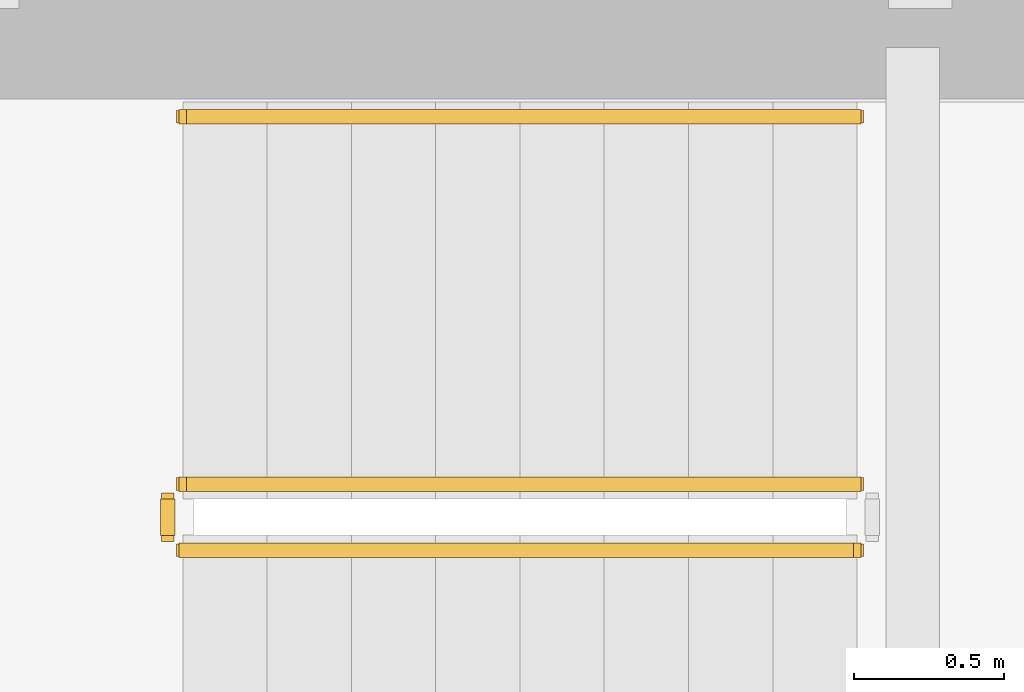
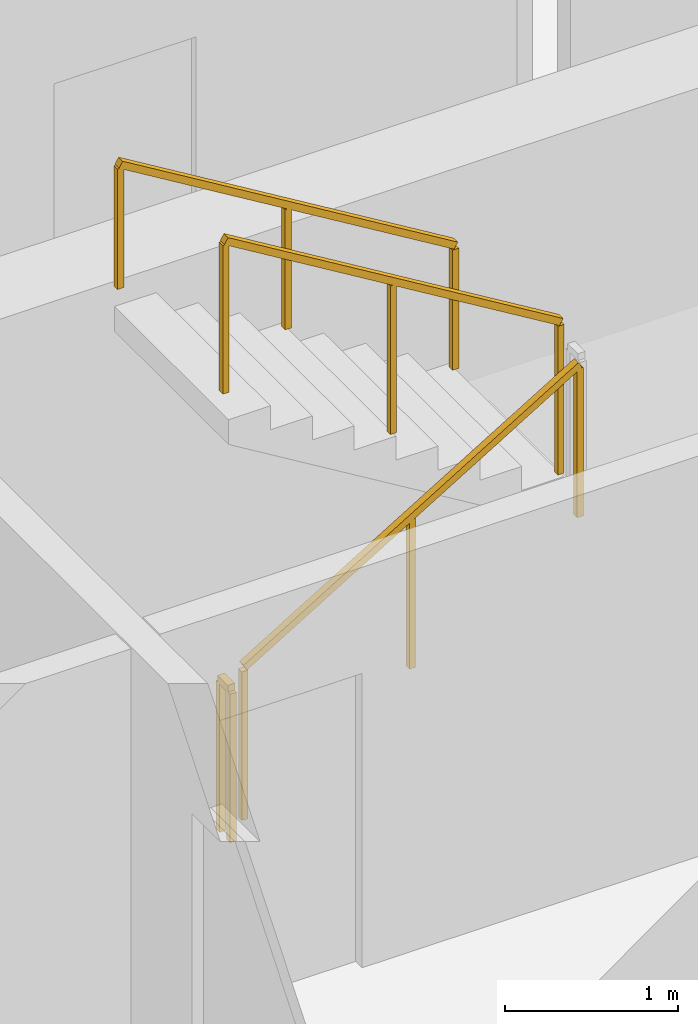
# One storey, part 10 of 12: 4 railings.
"""IFC4 building model written with IfcOpenShell, lengths in metres."""

from ifc_helpers import new_model, si_unit, direction, frame, origin, origin_2d, place, context, subcontext, project, spatial, rectangle, extrude, material, type_object, element, save


model = new_model("IFC4")

# Units and contexts
model_context = context("Model", 3, precision=1e-05, world=origin(), true_north=direction((0.0, 1.0)))
body_context = subcontext(model_context, "Body", "Model", "MODEL_VIEW")
ifc_project = project(units=[si_unit("LENGTHUNIT", "METRE"), si_unit("AREAUNIT", "SQUARE_METRE"), si_unit("VOLUMEUNIT", "CUBIC_METRE"), si_unit("PLANEANGLEUNIT", "RADIAN"), si_unit("MASSUNIT", "GRAM", prefix="KILO")], contexts=[model_context])

# Site, building, storey
site_placement = place(None, origin())
site = spatial("IfcSite", under=ifc_project, at=site_placement, CompositionType="ELEMENT")
building_placement = place(site_placement, origin())
building = spatial("IfcBuilding", under=site, at=building_placement, Name="Qhalaya Broadcast Tower", CompositionType="ELEMENT")
storey_placement = place(building_placement, frame((0.0, 0.0, 35.25)))
storey = spatial("IfcBuildingStorey", under=building, at=storey_placement, Name="L09", CompositionType="ELEMENT", Elevation=35.25)

# Railings
ifc_material = material(Name="Powder-Coated Galvanised Steel", Category="steel")
railing_type_1 = type_object("IfcRailingType", Name="Stair Wall Handrail 900", PredefinedType="HANDRAIL", material=ifc_material)
railing_1_placement = place(storey_placement, frame((5.989990234375, 9.590087890625, 1.6943359375)))
element("IfcRailing", 1, at=railing_1_placement, inside=storey, type_object=railing_type_1, Name="L09 ST-1 Stair Handrail 2", PredefinedType="HANDRAIL", context=body_context, shape_type="SweptSolid", body=[
    extrude(rectangle(XDim=0.048095703125, YDim=0.048095703125, at=origin_2d()), frame((0.0, 0.0, 0.8759765625), z_axis=(-0.855512035549, 0.0, 0.517782924622), x_axis=(0.0, -1.0, 0.0)), (0.0, 0.0, 1.0), 2.618408203125),
    extrude(rectangle(XDim=0.0419921875, YDim=0.0419921875, at=origin_2d()), origin(), (0.0, 0.0, 1.0), 0.849853515625),
    extrude(rectangle(XDim=0.0419921875, YDim=0.0419921875, at=origin_2d()), frame((-1.1201171875, 0.0, 0.677734375)), (0.0, 0.0, 1.0), 0.849853515625),
    extrude(rectangle(XDim=0.0419921875, YDim=0.0419921875, at=origin_2d()), frame((-2.239990234375, 0.0, 1.355712890625)), (0.0, 0.0, 1.0), 0.849853515625),
])
railing_type_2 = type_object("IfcRailingType", Name="Stair Well & Landing Guardrail 1100", PredefinedType="GUARDRAIL", material=ifc_material)
railing_2_placement = place(storey_placement, frame((3.75, 8.14990234375, 0.16943359375)))
element("IfcRailing", 2, at=railing_2_placement, inside=storey, type_object=railing_type_2, Name="L09 ST-1 Stair Guard 1", PredefinedType="GUARDRAIL", context=body_context, shape_type="SweptSolid", body=[
    extrude(rectangle(XDim=0.048095703125, YDim=0.048095703125, at=origin_2d()), frame((0.0, 0.0, 1.076171875), z_axis=(0.855553338991, 0.0, 0.51771467445), x_axis=(0.0, 1.0, 0.0)), (0.0, 0.0, 1.0), 2.6181640625),
    extrude(rectangle(XDim=0.0419921875, YDim=0.0419921875, at=origin_2d()), origin(), (0.0, 0.0, 1.0), 1.050048828125),
    extrude(rectangle(XDim=0.0419921875, YDim=0.0419921875, at=origin_2d()), frame((1.1201171875, 0.0, 0.677734375)), (0.0, 0.0, 1.0), 1.050048828125),
    extrude(rectangle(XDim=0.0419921875, YDim=0.0419921875, at=origin_2d()), frame((2.239990234375, 0.0, 1.35546875)), (0.0, 0.0, 1.0), 1.050048828125),
])
railing_3_placement = place(storey_placement, frame((5.989990234375, 8.3701171875, 1.6943359375)))
element("IfcRailing", 3, at=railing_3_placement, inside=storey, type_object=railing_type_2, Name="L09 ST-1 Stair Guard 3", PredefinedType="GUARDRAIL", context=body_context, shape_type="SweptSolid", body=[
    extrude(rectangle(XDim=0.048095703125, YDim=0.048095703125, at=origin_2d()), frame((0.0, 0.0, 1.076171875), z_axis=(-0.855512035549, 0.0, 0.517782924622), x_axis=(0.0, -1.0, 0.0)), (0.0, 0.0, 1.0), 2.618408203125),
    extrude(rectangle(XDim=0.0419921875, YDim=0.0419921875, at=origin_2d()), origin(), (0.0, 0.0, 1.0), 1.050048828125),
    extrude(rectangle(XDim=0.0419921875, YDim=0.0419921875, at=origin_2d()), frame((-1.1201171875, 0.0, 0.677734375)), (0.0, 0.0, 1.0), 1.050048828125),
    extrude(rectangle(XDim=0.0419921875, YDim=0.0419921875, at=origin_2d()), frame((-2.239990234375, 0.0, 1.355712890625)), (0.0, 0.0, 1.0), 1.050048828125),
])
railing_4_placement = place(storey_placement, frame((3.699951171875, 8.199951171875, 0.0)))
element("IfcRailing", 4, at=railing_4_placement, inside=storey, type_object=railing_type_2, Name="L09 ST-1 Stair Guard 4", PredefinedType="GUARDRAIL", context=body_context, shape_type="SweptSolid", body=[
    extrude(rectangle(XDim=0.048095703125, YDim=0.048095703125, at=origin_2d()), frame((0.0, 0.0, 1.076171875), z_axis=(0.0, 1.0, 0.0), x_axis=(-1.0, 0.0, 0.0)), (0.0, 0.0, 1.0), 0.1201171875),
    extrude(rectangle(XDim=0.0419921875, YDim=0.0419921875, at=origin_2d()), origin(), (0.0, 0.0, 1.0), 1.050048828125),
    extrude(rectangle(XDim=0.0419921875, YDim=0.0419921875, at=origin_2d()), frame((0.0, 0.1201171875, 0.0)), (0.0, 0.0, 1.0), 1.050048828125),
])

save(model, "model.ifc")
